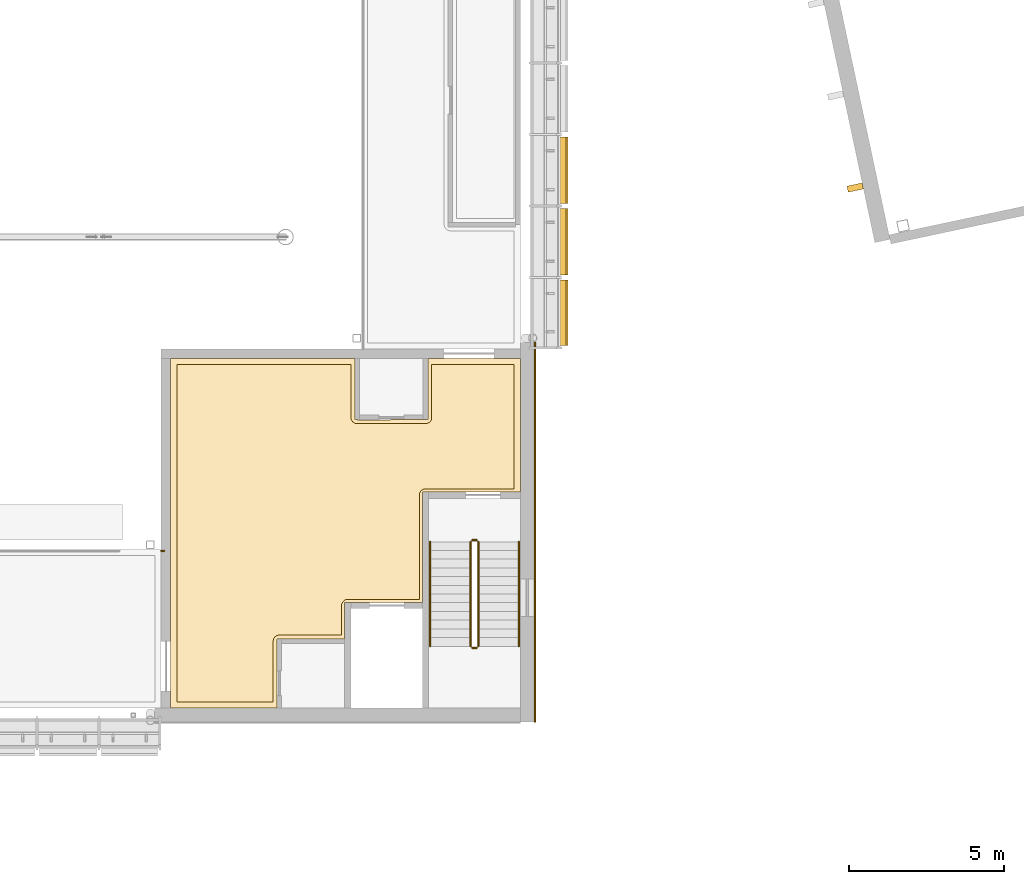
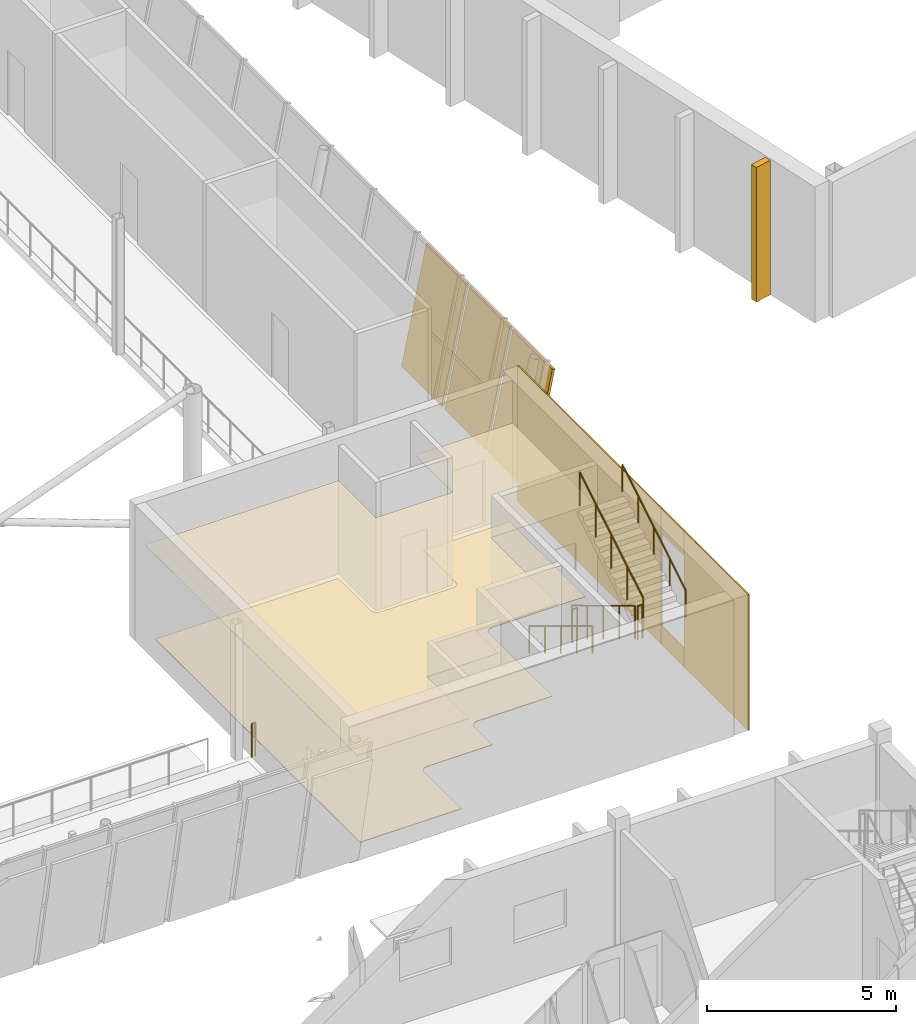
# One storey, part 108 of 115: 7 railings, 6 coverings, 4 shading devices.
"""IFC4 building model written with IfcOpenShell, lengths in metres."""

from ifc_helpers import new_model, si_unit, direction, frame, origin, origin_2d, place, context, subcontext, project, spatial, polyline, circle, outline, extrude, material, layer, layer_set, type_object, element, save


model = new_model("IFC4")

# Units and contexts
model_context = context("Model", 3, precision=1e-05, world=origin(), true_north=direction((0.0, 1.0)))
body_context = subcontext(model_context, "Body", "Model", "MODEL_VIEW")
ifc_project = project(units=[si_unit("LENGTHUNIT", "METRE"), si_unit("AREAUNIT", "SQUARE_METRE"), si_unit("VOLUMEUNIT", "CUBIC_METRE"), si_unit("PLANEANGLEUNIT", "RADIAN"), si_unit("MASSUNIT", "GRAM", prefix="KILO")], contexts=[model_context])

# Site, building, storey
site_placement = place(None, origin())
site = spatial("IfcSite", under=ifc_project, at=site_placement, CompositionType="ELEMENT")
building_placement = place(site_placement, origin())
building = spatial("IfcBuilding", under=site, at=building_placement, Name="Windward Yard Aquatics Centre", CompositionType="ELEMENT")
storey_placement = place(building_placement, frame((0.0, 0.0, 5.0)))
storey = spatial("IfcBuildingStorey", under=building, at=storey_placement, Name="L01", CompositionType="ELEMENT", Elevation=5.0)

# Shading device
ifc_material_1 = material(Name="Aluminium fin, powder coated", Category="aluminium")
shading_device_type_1 = type_object("IfcShadingDeviceType", Name="D vertical fin 200x500", PredefinedType="USERDEFINED", material=ifc_material_1)
shading_device_1_placement = place(storey_placement, origin())
element("IfcShadingDevice", 1, at=shading_device_1_placement, inside=storey, type_object=shading_device_type_1, Name="Vertical fin D.W.W.L01.1.1", ObjectType="FIN", PredefinedType="USERDEFINED", context=body_context, shape_type="SweptSolid", body=[
    extrude(outline(polyline([(162.05224609375, 43.23779296875), (162.093994140625, 43.042236328125), (162.5830078125, 43.146240234375), (162.54150390625, 43.341796875), (162.05224609375, 43.23779296875)])), origin(), (0.0, 0.0, 1.0), 4.35009765625),
])

# Covering
ifc_material_2 = material(Name="Polished screed")
ifc_layer_1 = layer(ifc_material_2, 0.0400390625)
ifc_layer_set_1 = layer_set([ifc_layer_1], Name="H Floor Finish Screed 40")
covering_type_1 = type_object("IfcCoveringType", Name="H Floor Finish Screed 40", PredefinedType="FLOORING", material=ifc_layer_set_1)
covering_1_placement = place(storey_placement, origin())
element("IfcCovering", 2, at=covering_1_placement, inside=storey, type_object=covering_type_1, Name="Core Lobby SE floor finish", PredefinedType="FLOORING", context=body_context, shape_type="SweptSolid", body=[
    extrude(outline(polyline([(140.5, 26.64990234375), (140.5, 37.5), (146.10009765625, 37.5), (146.10107421875, 35.780517578125), (146.108642578125, 35.741943359375), (146.115234375, 35.723388671875), (146.1337890625, 35.68896484375), (146.15869140625, 35.65869140625), (146.18896484375, 35.6337890625), (146.223388671875, 35.615234375), (146.260986328125, 35.603759765625), (146.300048828125, 35.60009765625), (148.5, 35.60009765625), (148.51953125, 35.60107421875), (148.55810546875, 35.608642578125), (148.59423828125, 35.62353515625), (148.626953125, 35.6455078125), (148.641357421875, 35.65869140625), (148.666259765625, 35.68896484375), (148.684814453125, 35.723388671875), (148.6962890625, 35.760986328125), (148.699951171875, 35.800048828125), (148.699951171875, 37.5), (151.35009765625, 37.5), (151.35009765625, 33.5), (148.5, 33.5), (148.48046875, 33.4990234375), (148.44189453125, 33.491455078125), (148.40576171875, 33.476318359375), (148.373046875, 33.45458984375), (148.358642578125, 33.44140625), (148.333740234375, 33.4111328125), (148.315185546875, 33.37646484375), (148.3037109375, 33.339111328125), (148.300048828125, 33.300048828125), (148.300048828125, 29.949951171875), (146.0, 29.949951171875), (145.9609375, 29.9462890625), (145.94189453125, 29.94140625), (145.923583984375, 29.934814453125), (145.888916015625, 29.916259765625), (145.858642578125, 29.891357421875), (145.845458984375, 29.876953125), (145.833740234375, 29.861083984375), (145.815185546875, 29.826416015625), (145.80859375, 29.80810546875), (145.801025390625, 29.76953125), (145.800048828125, 28.800048828125), (143.800048828125, 28.800048828125), (143.760986328125, 28.796142578125), (143.741943359375, 28.79150390625), (143.723388671875, 28.784912109375), (143.68896484375, 28.766357421875), (143.65869140625, 28.741455078125), (143.6337890625, 28.711181640625), (143.62353515625, 28.6943359375), (143.608642578125, 28.658203125), (143.60107421875, 28.61962890625), (143.60009765625, 28.60009765625), (143.60009765625, 26.64990234375), (140.5, 26.64990234375)])), origin(), (0.0, 0.0, 1.0), 0.02001953125),
])

# Railings
ifc_material_3 = material(Name="Stainless steel 1.4529", Category="steel")
railing_type_1 = type_object("IfcRailingType", Name="H Guard Steel 1100", PredefinedType="GUARDRAIL", material=ifc_material_3)
railing_1_placement = place(storey_placement, frame((149.949951171875, 31.800048828125, 0.169189453125)))
element("IfcRailing", 3, at=railing_1_placement, inside=storey, type_object=railing_type_1, Name="L01 ST2 stair guard 1", PredefinedType="GUARDRAIL", context=body_context, shape_type="SweptSolid", body=[
    extrude(circle(Radius=0.02392578125, at=origin_2d()), frame((0.0, 0.0, 1.076171875), z_axis=(0.0, -0.855836976705, 0.517245656632), x_axis=(1.0, 0.0, 0.0)), (0.0, 0.0, 1.0), 3.926025390625),
    extrude(circle(Radius=0.02099609375, at=origin_2d()), origin(), (0.0, 0.0, 1.0), 1.052001953125),
    extrude(circle(Radius=0.02099609375, at=origin_2d()), frame((0.0, -0.840087890625, 0.5078125)), (0.0, 0.0, 1.0), 1.052001953125),
    extrude(circle(Radius=0.02099609375, at=origin_2d()), frame((0.0, -1.68017578125, 1.015380859375)), (0.0, 0.0, 1.0), 1.052001953125),
    extrude(circle(Radius=0.02099609375, at=origin_2d()), frame((0.0, -2.52001953125, 1.52294921875)), (0.0, 0.0, 1.0), 1.052001953125),
    extrude(circle(Radius=0.02099609375, at=origin_2d()), frame((0.0, -3.360107421875, 2.03076171875)), (0.0, 0.0, 1.0), 1.052001953125),
])
railing_2_placement = place(storey_placement, frame((150.0, 28.389892578125, 2.199951171875)))
element("IfcRailing", 4, at=railing_2_placement, inside=storey, type_object=railing_type_1, Name="L01 ST2 stair guard 2", PredefinedType="GUARDRAIL", context=body_context, shape_type="SweptSolid", body=[
    extrude(circle(Radius=0.02392578125, at=origin_2d()), frame((0.0, 0.0, 1.076171875), z_axis=(1.0, 0.0, 0.0), x_axis=(0.0, 1.0, 0.0)), (0.0, 0.0, 1.0), 0.14990234375),
    extrude(circle(Radius=0.02099609375, at=origin_2d()), origin(), (0.0, 0.0, 1.0), 1.052001953125),
    extrude(circle(Radius=0.02099609375, at=origin_2d()), frame((0.14990234375, 0.0, 0.0)), (0.0, 0.0, 1.0), 1.052001953125),
])
railing_3_placement = place(storey_placement, frame((150.199951171875, 28.43994140625, 2.369140625)))
element("IfcRailing", 5, at=railing_3_placement, inside=storey, type_object=railing_type_1, Name="L01 ST2 stair guard 3", PredefinedType="GUARDRAIL", context=body_context, shape_type="SweptSolid", body=[
    extrude(circle(Radius=0.02392578125, at=origin_2d()), frame((0.0, 0.0, 1.076171875), z_axis=(0.0, 0.855836976705, 0.517245656632), x_axis=(-1.0, 0.0, 0.0)), (0.0, 0.0, 1.0), 3.926025390625),
    extrude(circle(Radius=0.02099609375, at=origin_2d()), origin(), (0.0, 0.0, 1.0), 1.052001953125),
    extrude(circle(Radius=0.02099609375, at=origin_2d()), frame((0.0, 0.840087890625, 0.5078125)), (0.0, 0.0, 1.0), 1.052001953125),
    extrude(circle(Radius=0.02099609375, at=origin_2d()), frame((0.0, 1.68017578125, 1.015380859375)), (0.0, 0.0, 1.0), 1.052001953125),
    extrude(circle(Radius=0.02099609375, at=origin_2d()), frame((0.0, 2.52001953125, 1.52294921875)), (0.0, 0.0, 1.0), 1.052001953125),
    extrude(circle(Radius=0.02099609375, at=origin_2d()), frame((0.0, 3.360107421875, 2.03076171875)), (0.0, 0.0, 1.0), 1.052001953125),
])
railing_4_placement = place(storey_placement, frame((150.0, 31.85009765625, 0.0)))
element("IfcRailing", 6, at=railing_4_placement, inside=storey, type_object=railing_type_1, Name="L01 ST2 stair guard 4", PredefinedType="GUARDRAIL", context=body_context, shape_type="SweptSolid", body=[
    extrude(circle(Radius=0.02392578125, at=origin_2d()), frame((0.0, 0.0, 1.076171875), z_axis=(1.0, 0.0, 0.0), x_axis=(0.0, 1.0, 0.0)), (0.0, 0.0, 1.0), 0.14990234375),
    extrude(circle(Radius=0.02099609375, at=origin_2d()), origin(), (0.0, 0.0, 1.0), 1.052001953125),
    extrude(circle(Radius=0.02099609375, at=origin_2d()), frame((0.14990234375, 0.0, 0.0)), (0.0, 0.0, 1.0), 1.052001953125),
])
railing_5_placement = place(storey_placement, frame((140.10009765625, 31.509521484375, 0.0)))
element("IfcRailing", 7, at=railing_5_placement, inside=storey, type_object=railing_type_1, Name="Concourse edge guard S8", PredefinedType="GUARDRAIL", context=body_context, shape_type="SweptSolid", body=[
    extrude(circle(Radius=0.02392578125, at=origin_2d()), frame((0.0, 0.0, 1.076171875), z_axis=(-1.0, 0.0, 0.0), x_axis=(0.0, -1.0, 0.0)), (0.0, 0.0, 1.0), 0.10009765625),
    extrude(circle(Radius=0.02099609375, at=origin_2d()), origin(), (0.0, 0.0, 1.0), 1.052001953125),
    extrude(circle(Radius=0.02099609375, at=origin_2d()), frame((-0.10009765625, 0.0, 0.0)), (0.0, 0.0, 1.0), 1.052001953125),
])
railing_type_2 = type_object("IfcRailingType", Name="H Handrail Steel 900", PredefinedType="HANDRAIL", material=ifc_material_3)
railing_6_placement = place(storey_placement, frame((148.64990234375, 31.800048828125, 0.169189453125)))
element("IfcRailing", 8, at=railing_6_placement, inside=storey, type_object=railing_type_2, Name="L01 ST2 stair handrail 1", PredefinedType="HANDRAIL", context=body_context, shape_type="SweptSolid", body=[
    extrude(circle(Radius=0.02392578125, at=origin_2d()), frame((0.0, 0.0, 0.8759765625), z_axis=(0.0, -0.855836976705, 0.517245656632), x_axis=(1.0, 0.0, 0.0)), (0.0, 0.0, 1.0), 3.926025390625),
    extrude(circle(Radius=0.02099609375, at=origin_2d()), origin(), (0.0, 0.0, 1.0), 0.851806640625),
    extrude(circle(Radius=0.02099609375, at=origin_2d()), frame((0.0, -0.840087890625, 0.5078125)), (0.0, 0.0, 1.0), 0.851806640625),
    extrude(circle(Radius=0.02099609375, at=origin_2d()), frame((0.0, -1.68017578125, 1.015380859375)), (0.0, 0.0, 1.0), 0.851806640625),
    extrude(circle(Radius=0.02099609375, at=origin_2d()), frame((0.0, -2.52001953125, 1.52294921875)), (0.0, 0.0, 1.0), 0.851806640625),
    extrude(circle(Radius=0.02099609375, at=origin_2d()), frame((0.0, -3.360107421875, 2.03076171875)), (0.0, 0.0, 1.0), 0.851806640625),
])
railing_7_placement = place(storey_placement, frame((151.5, 28.43994140625, 2.369140625)))
element("IfcRailing", 9, at=railing_7_placement, inside=storey, type_object=railing_type_2, Name="L01 ST2 stair handrail 2", PredefinedType="HANDRAIL", context=body_context, shape_type="SweptSolid", body=[
    extrude(circle(Radius=0.02392578125, at=origin_2d()), frame((0.0, 0.0, 0.8759765625), z_axis=(0.0, 0.855836976705, 0.517245656632), x_axis=(-1.0, 0.0, 0.0)), (0.0, 0.0, 1.0), 3.926025390625),
    extrude(circle(Radius=0.02099609375, at=origin_2d()), origin(), (0.0, 0.0, 1.0), 0.851806640625),
    extrude(circle(Radius=0.02099609375, at=origin_2d()), frame((0.0, 0.840087890625, 0.5078125)), (0.0, 0.0, 1.0), 0.851806640625),
    extrude(circle(Radius=0.02099609375, at=origin_2d()), frame((0.0, 1.68017578125, 1.015380859375)), (0.0, 0.0, 1.0), 0.851806640625),
    extrude(circle(Radius=0.02099609375, at=origin_2d()), frame((0.0, 2.52001953125, 1.52294921875)), (0.0, 0.0, 1.0), 0.851806640625),
    extrude(circle(Radius=0.02099609375, at=origin_2d()), frame((0.0, 3.360107421875, 2.03076171875)), (0.0, 0.0, 1.0), 0.851806640625),
])

# Coverings
ifc_material_4 = material(Name="Mineral fibre tile")
ifc_layer_2 = layer(ifc_material_4, 0.02001953125)
ifc_layer_set_2 = layer_set([ifc_layer_2], Name="H Suspended Ceiling 600 x 600")
covering_type_2 = type_object("IfcCoveringType", Name="H Suspended Ceiling 600 x 600", PredefinedType="CEILING", material=ifc_layer_set_2)
covering_2_placement = place(storey_placement, frame((0.0, 0.0, 3.0)))
element("IfcCovering", 10, at=covering_2_placement, inside=storey, type_object=covering_type_2, Name="Core Lobby SE ceiling", PredefinedType="CEILING", context=body_context, shape_type="SweptSolid", body=[
    extrude(outline(polyline([(140.300537109375, 26.450439453125), (140.300537109375, 37.699462890625), (146.224609375, 37.699462890625), (146.224609375, 35.72509765625), (146.375, 35.724609375), (148.575439453125, 35.72509765625), (148.575439453125, 37.699462890625), (151.549560546875, 37.699462890625), (151.549560546875, 33.400390625), (148.3994140625, 33.39990234375), (148.3994140625, 29.8505859375), (145.8994140625, 29.85009765625), (145.8994140625, 28.675537109375), (143.724609375, 28.675048828125), (143.724609375, 26.450439453125), (140.300537109375, 26.450439453125)])), origin(), (0.0, 0.0, 1.0), 0.02001953125),
])
ifc_material_5 = material(Name="Natural limestone cladding", Category="masonry")
ifc_layer_3 = layer(ifc_material_5, 0.0400390625)
ifc_layer_set_3 = layer_set([ifc_layer_3], Name="H natural stone cladding 40")
covering_type_3 = type_object("IfcCoveringType", Name="H natural stone cladding 40", PredefinedType="CLADDING", material=ifc_layer_set_3)
covering_3_placement = place(storey_placement, origin())
element("IfcCovering", 11, at=covering_3_placement, inside=storey, type_object=covering_type_3, Name="Stone cladding panel 90", PredefinedType="CLADDING", context=body_context, shape_type="SweptSolid", body=[
    extrude(outline(polyline([(152.0, 26.0), (152.0, 29.39990234375), (152.0400390625, 29.39990234375), (152.0400390625, 26.0), (152.0, 26.0)])), origin(), (0.0, 0.0, 1.0), 4.39990234375),
])
covering_4_placement = place(storey_placement, origin())
element("IfcCovering", 12, at=covering_4_placement, inside=storey, type_object=covering_type_3, Name="Stone cladding panel 91", PredefinedType="CLADDING", context=body_context, shape_type="SweptSolid", body=[
    extrude(outline(polyline([(152.0, 29.39990234375), (152.0, 30.60009765625), (152.0400390625, 30.60009765625), (152.0400390625, 29.39990234375), (152.0, 29.39990234375)])), origin(), (0.0, 0.0, 1.0), 0.60009765625),
])
covering_5_placement = place(storey_placement, frame((0.0, 0.0, 3.60009765625)))
element("IfcCovering", 13, at=covering_5_placement, inside=storey, type_object=covering_type_3, Name="Stone cladding panel 92", PredefinedType="CLADDING", context=body_context, shape_type="SweptSolid", body=[
    extrude(outline(polyline([(152.0, 29.39990234375), (152.0, 30.60009765625), (152.0400390625, 30.60009765625), (152.0400390625, 29.39990234375), (152.0, 29.39990234375)])), origin(), (0.0, 0.0, 1.0), 0.7998046875),
])
covering_6_placement = place(storey_placement, origin())
element("IfcCovering", 14, at=covering_6_placement, inside=storey, type_object=covering_type_3, Name="Stone cladding panel 93", PredefinedType="CLADDING", context=body_context, shape_type="SweptSolid", body=[
    extrude(outline(polyline([(152.0, 30.60009765625), (152.0, 38.214111328125), (152.0400390625, 38.214111328125), (152.0400390625, 30.60009765625), (152.0, 30.60009765625)])), origin(), (0.0, 0.0, 1.0), 4.39990234375),
])

# Shading devices
ifc_material_6 = material(Name="Aluminium extruded louvre blades, powder coated", Category="aluminium")
ifc_layer_4 = layer(ifc_material_6, 0.080078125)
ifc_layer_set_4 = layer_set([ifc_layer_4], Name="H storm louvre shutter 2103x3790")
shading_device_type_2 = type_object("IfcShadingDeviceType", Name="H storm louvre shutter 2103x3790", PredefinedType="SHUTTER", material=ifc_layer_set_4)
shading_device_2_placement = place(storey_placement, frame((152.2548828125, 38.114990234375, 0.28662109375), z_axis=(-0.979926212575, 0.0, 0.199360522443), x_axis=(0.0, 1.0, 0.0)))
element("IfcShadingDevice", 15, at=shading_device_2_placement, inside=storey, type_object=shading_device_type_2, Name="Storm louvre E L01 A1", PredefinedType="SHUTTER", context=body_context, shape_type="SweptSolid", body=[
    extrude(outline(polyline([(0.0, 0.0), (2.102539, 0.0), (2.102539, -3.790195), (0.0, -3.790195), (0.0, 0.0)])), origin(), (0.0, 0.0, -1.0), 0.080078125),
])
shading_device_3_placement = place(storey_placement, frame((152.2548828125, 40.382568359375, 0.28662109375), z_axis=(-0.979926212575, 0.0, 0.199360522443), x_axis=(0.0, 1.0, 0.0)))
element("IfcShadingDevice", 16, at=shading_device_3_placement, inside=storey, type_object=shading_device_type_2, Name="Storm louvre E L01 A2", PredefinedType="SHUTTER", context=body_context, shape_type="SweptSolid", body=[
    extrude(outline(polyline([(0.0, 0.0), (2.13501, 0.0), (2.13501, -3.790195), (0.0, -3.790195), (0.0, 0.0)])), origin(), (0.0, 0.0, -1.0), 0.080078125),
])
shading_device_4_placement = place(storey_placement, frame((152.2548828125, 42.6826171875, 0.28662109375), z_axis=(-0.979926212575, 0.0, 0.199360522443), x_axis=(0.0, 1.0, 0.0)))
element("IfcShadingDevice", 17, at=shading_device_4_placement, inside=storey, type_object=shading_device_type_2, Name="Storm louvre E L01 A3", PredefinedType="SHUTTER", context=body_context, shape_type="SweptSolid", body=[
    extrude(outline(polyline([(0.0, 0.0), (2.134766, 0.0), (2.134766, -3.790195), (0.0, -3.790195), (0.0, 0.0)])), origin(), (0.0, 0.0, -1.0), 0.080078125),
])

save(model, "model.ifc")
